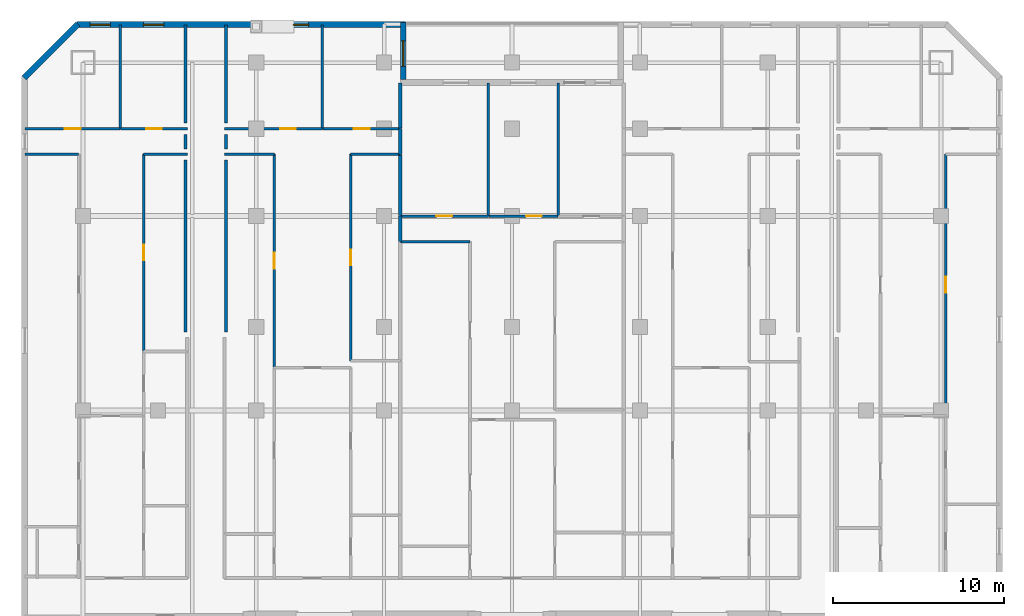
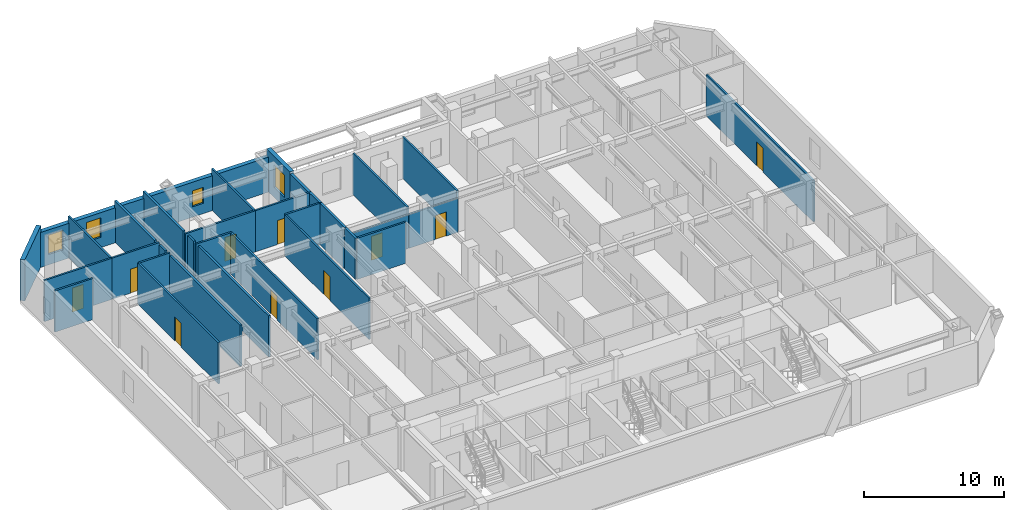
# One storey, part 7 of 10: 32 walls, 10 doors, 4 windows, 14 openings.
"""IFC4 building model written with IfcOpenShell, lengths in metres."""

from ifc_helpers import new_model, si_unit, direction, frame, frame_2d, origin, place, context, subcontext, project, spatial, rectangle, extrude, material, layer, layer_set, type_object, element, fill, save


model = new_model("IFC4")

# Units and contexts
model_context = context("Model", 3, precision=1e-05, world=origin(), true_north=direction((0.0, 1.0)))
body_context = subcontext(model_context, "Body", "Model", "MODEL_VIEW")
ifc_project = project(units=[si_unit("LENGTHUNIT", "METRE"), si_unit("AREAUNIT", "SQUARE_METRE"), si_unit("VOLUMEUNIT", "CUBIC_METRE"), si_unit("PLANEANGLEUNIT", "RADIAN"), si_unit("MASSUNIT", "GRAM", prefix="KILO")], contexts=[model_context])

# Site, building, storey
site_placement = place(None, origin())
site = spatial("IfcSite", under=ifc_project, at=site_placement, CompositionType="ELEMENT")
building_placement = place(site_placement, origin())
building = spatial("IfcBuilding", under=site, at=building_placement, Name="Ventersveld Concourse Tower", CompositionType="ELEMENT")
storey_placement = place(building_placement, frame((0.0, 0.0, 56.75)))
storey = spatial("IfcBuildingStorey", under=building, at=storey_placement, Name="L13", CompositionType="ELEMENT", Elevation=56.75)

# Walls
ifc_material_1 = material(Name="Fire-rated autoclaved aerated masonry blockwork", Category="masonry")
ifc_layer_1 = layer(ifc_material_1, 0.179931640625)
ifc_layer_set_1 = layer_set([ifc_layer_1], Name="Fire-rated autoclaved aerated masonry blockwork")
wall_type_1 = type_object("IfcWallType", Name="WL-CORR-180", PredefinedType="PARTITIONING", material=ifc_layer_set_1)
wall_1_placement = place(storey_placement, frame((9.6201171875, 39.794921875, 0.0), z_axis=(0.0, 0.0, 1.0), x_axis=(0.0, -1.0, 0.0)))
element("IfcWall", 1, at=wall_1_placement, inside=storey, type_object=wall_type_1, Name="L13 Room Enclosure Wall SP-L13-13NW-LIV", PredefinedType="PARTITIONING", context=body_context, shape_type="SweptSolid", body=[
    extrude(rectangle(XDim=0.849853515625, YDim=0.179931640625, at=frame_2d((0.4248046875, 0.0))), origin(), (0.0, 0.0, 1.0), 3.60009765625),
])
wall_2_placement = place(storey_placement, frame((9.6201171875, 38.294921875, 0.0), z_axis=(0.0, 0.0, 1.0), x_axis=(0.0, -1.0, 0.0)))
element("IfcWall", 2, at=wall_2_placement, inside=storey, type_object=wall_type_1, Name="L13 Room Enclosure Wall SP-L13-13NW-DENS", PredefinedType="PARTITIONING", context=body_context, shape_type="SweptSolid", body=[
    extrude(rectangle(XDim=10.0849609375, YDim=0.179931640625, at=frame_2d((5.04248046875, 0.0))), origin(), (0.0, 0.0, 1.0), 3.60009765625),
])
wall_3_placement = place(storey_placement, frame((9.6201171875, 46.18994140625, 0.0), z_axis=(0.0, 0.0, 1.0), x_axis=(0.0, -1.0, 0.0)))
element("IfcWall", 3, at=wall_3_placement, inside=storey, type_object=wall_type_1, Name="L13 Room Enclosure Wall SP-L13-13NW-BR2", PredefinedType="PARTITIONING", context=body_context, shape_type="SweptSolid", body=[
    extrude(rectangle(XDim=5.744873046875, YDim=0.179931640625, at=frame_2d((2.87255859375, 0.0))), origin(), (0.0, 0.0, 1.0), 3.60009765625),
])
wall_4_placement = place(storey_placement, frame((11.97998046875, 38.945068359375, 0.0), z_axis=(0.0, 0.0, 1.0), x_axis=(0.0, 1.0, 0.0)))
element("IfcWall", 4, at=wall_4_placement, inside=storey, type_object=wall_type_1, Name="L13 Room Enclosure Wall SP-L13-13CW-LIV", PredefinedType="PARTITIONING", context=body_context, shape_type="SweptSolid", body=[
    extrude(rectangle(XDim=0.849853515625, YDim=0.179931640625, at=frame_2d((0.4248046875, 0.0))), origin(), (0.0, 0.0, 1.0), 3.60009765625),
])
wall_5_placement = place(storey_placement, frame((11.97998046875, 28.2099609375, 0.0), z_axis=(0.0, 0.0, 1.0), x_axis=(0.0, 1.0, 0.0)))
element("IfcWall", 5, at=wall_5_placement, inside=storey, type_object=wall_type_1, Name="L13 Room Enclosure Wall SP-L13-13CW-DENL", PredefinedType="PARTITIONING", context=body_context, shape_type="SweptSolid", body=[
    extrude(rectangle(XDim=10.0849609375, YDim=0.179931640625, at=frame_2d((5.04248046875, 0.0))), origin(), (0.0, 0.0, 1.0), 3.60009765625),
])
wall_6_placement = place(storey_placement, frame((11.97998046875, 40.445068359375, 0.0), z_axis=(0.0, 0.0, 1.0), x_axis=(0.0, 1.0, 0.0)))
element("IfcWall", 6, at=wall_6_placement, inside=storey, type_object=wall_type_1, Name="L13 Room Enclosure Wall SP-L13-13CW-BR1", PredefinedType="PARTITIONING", context=body_context, shape_type="SweptSolid", body=[
    extrude(rectangle(XDim=5.744873046875, YDim=0.179931640625, at=frame_2d((2.87255859375, 0.0))), origin(), (0.0, 0.0, 1.0), 3.60009765625),
])
ifc_layer_2 = layer(ifc_material_1, 0.199951171875)
ifc_layer_set_2 = layer_set([ifc_layer_2], Name="Fire-rated autoclaved aerated masonry blockwork")
wall_type_2 = type_object("IfcWallType", Name="WL-DEMISE-200", PredefinedType="PARTITIONING", material=ifc_layer_set_2)
wall_7_placement = place(storey_placement, frame((22.2099609375, 38.614990234375, 0.0), z_axis=(0.0, 0.0, 1.0), x_axis=(0.0, 1.0, 0.0)))
element("IfcWall", 7, at=wall_7_placement, inside=storey, type_object=wall_type_2, Name="L13 Interior Partition SP-L13-13CW-LIV-SP-L13-13CM-BR1", PredefinedType="PARTITIONING", context=body_context, shape_type="SweptSolid", body=[
    extrude(rectangle(XDim=1.510009765625, YDim=0.199951171875, at=frame_2d((0.7548828125, 0.0))), origin(), (0.0, 0.0, 1.0), 3.60009765625),
])
wall_8_placement = place(storey_placement, frame((22.2099609375, 33.4951171875, 0.0), z_axis=(0.0, 0.0, 1.0), x_axis=(0.0, 1.0, 0.0)))
element("IfcWall", 8, at=wall_8_placement, inside=storey, type_object=wall_type_2, Name="L13 Interior Partition SP-L13-13CW-DENS-SP-L13-13CM-LIV", PredefinedType="PARTITIONING", context=body_context, shape_type="SweptSolid", body=[
    extrude(rectangle(XDim=1.509765625, YDim=0.199951171875, at=frame_2d((0.7548828125, 0.0))), origin(), (0.0, 0.0, 1.0), 3.60009765625),
])
wall_9_placement = place(storey_placement, frame((22.2099609375, 35.034912109375, 0.0), z_axis=(0.0, 0.0, 1.0), x_axis=(0.0, 1.0, 0.0)))
element("IfcWall", 9, at=wall_9_placement, inside=storey, type_object=wall_type_2, Name="L13 Interior Partition SP-L13-13CW-DENS-SP-L13-13CM-BR1", PredefinedType="PARTITIONING", context=body_context, shape_type="SweptSolid", body=[
    extrude(rectangle(XDim=3.550048828125, YDim=0.199951171875, at=frame_2d((1.77490234375, 0.0))), origin(), (0.0, 0.0, 1.0), 3.60009765625),
])
wall_10_placement = place(storey_placement, frame((22.2099609375, 40.155029296875, 0.0), z_axis=(0.0, 0.0, 1.0), x_axis=(0.0, 1.0, 0.0)))
element("IfcWall", 10, at=wall_10_placement, inside=storey, type_object=wall_type_2, Name="L13 Interior Partition SP-L13-13CW-BR2-SP-L13-13CM-BR1", PredefinedType="PARTITIONING", context=body_context, shape_type="SweptSolid", body=[
    extrude(rectangle(XDim=2.635009765625, YDim=0.199951171875, at=frame_2d((1.3173828125, 0.0))), origin(), (0.0, 0.0, 1.0), 3.60009765625),
])
ifc_material_2 = material(Name="Autoclaved aerated masonry blockwork", Category="masonry")
ifc_layer_3 = layer(ifc_material_2, 0.14990234375)
ifc_layer_set_3 = layer_set([ifc_layer_3], Name="Autoclaved aerated masonry blockwork")
wall_type_3 = type_object("IfcWallType", Name="WL-INT-150", PredefinedType="PARTITIONING", material=ifc_layer_set_3)
wall_11_placement = place(storey_placement, frame((0.2099609375, 38.6201171875, 0.0), z_axis=(0.0, 0.0, 1.0), x_axis=(1.0, 0.0, 0.0)))
element("IfcWall", 11, at=wall_11_placement, inside=storey, type_object=wall_type_3, Name="L13 Interior Partition SP-L13-13NW-LIV-SP-L13-13NW-SEML0", PredefinedType="PARTITIONING", context=body_context, shape_type="SweptSolid", body=[
    extrude(rectangle(XDim=3.135986328125, YDim=0.14990234375, at=frame_2d((1.56787109375, 0.0))), origin(), (0.0, 0.0, 1.0), 3.60009765625),
])

# Wall, opening, door
wall_12_placement = place(storey_placement, frame((7.162841796875, 27.0947265625, 0.0), z_axis=(0.0, 0.0, 1.0), x_axis=(0.0, 1.0, 0.0)))
wall_12 = element("IfcWall", 12, at=wall_12_placement, inside=storey, type_object=wall_type_3, Name="L13 Interior Partition SP-L13-13NW-LIV-SP-L13-13NW-DENS", PredefinedType="PARTITIONING", context=body_context, shape_type="SweptSolid", body=[
    extrude(rectangle(XDim=11.5302734375, YDim=0.14990234375, at=frame_2d((5.76513671875, 0.0))), origin(), (0.0, 0.0, 1.0), 3.60009765625),
])
opening_1_placement = place(wall_12_placement, frame((5.30517578125, 0.0, 0.0)))
opening_1 = element("IfcOpeningElement", 13, at=opening_1_placement, cuts=wall_12, Name="Opening ID1", PredefinedType="OPENING", context=body_context, shape_type="SweptSolid", body=[
    extrude(rectangle(XDim=0.919921875, YDim=2.10009765625, at=frame_2d((0.4599609375, 1.050048828125))), frame((0.0, 0.0849609375, 0.0), z_axis=(0.0, -1.0, 0.0), x_axis=(1.0, 0.0, 0.0)), (0.0, 0.0, 1.0), 0.169921875),
])
ifc_material_3 = material(Name="Solid-core hardwood veneer timber", Category="wood")
door_type = type_object("IfcDoorType", Name="DR-ROOM-092", OperationType="NOTDEFINED", PredefinedType="DOOR", material=ifc_material_3)
door_1_placement = place(opening_1_placement, origin())
door_1 = element("IfcDoor", 14, at=door_1_placement, inside=storey, type_object=door_type, Name="L13 Interior Door SP-L13-13NW-LIV to SP-L13-13NW-DENS (D-L13-0556)", OperationType="SINGLE_SWING_RIGHT", OverallHeight=2.10009765625, OverallWidth=0.919921875, PredefinedType="DOOR", context=body_context, shape_type="SweptSolid", body=[
    extrude(rectangle(XDim=0.919921875, YDim=2.10009765625, at=frame_2d((0.4599609375, 1.050048828125))), frame((0.0, 0.02490234375, 0.0), z_axis=(0.0, -1.0, 0.0), x_axis=(1.0, 0.0, 0.0)), (0.0, 0.0, 1.0), 0.050048828125),
])
fill(opening_1, door_1)

# Wall
wall_13_placement = place(storey_placement, frame((7.157958984375, 38.6201171875, 0.0), z_axis=(0.0, 0.0, 1.0), x_axis=(1.0, 0.0, 0.0)))
element("IfcWall", 15, at=wall_13_placement, inside=storey, type_object=wall_type_3, Name="L13 Interior Partition SP-L13-13NW-LIV-SP-L13-13NW-DENS", PredefinedType="PARTITIONING", context=body_context, shape_type="SweptSolid", body=[
    extrude(rectangle(XDim=2.55712890625, YDim=0.14990234375, at=frame_2d((1.278564453125, 0.0))), origin(), (0.0, 0.0, 1.0), 3.60009765625),
])

# Wall, opening, door
wall_14_placement = place(storey_placement, frame((0.2099609375, 40.1201171875, 0.0), z_axis=(0.0, 0.0, 1.0), x_axis=(1.0, 0.0, 0.0)))
wall_14 = element("IfcWall", 16, at=wall_14_placement, inside=storey, type_object=wall_type_3, Name="L13 Interior Partition SP-L13-13NW-LIV-SP-L13-13NW-BR1", PredefinedType="PARTITIONING", context=body_context, shape_type="SweptSolid", body=[
    extrude(rectangle(XDim=5.566162109375, YDim=0.14990234375, at=frame_2d((2.783203125, 0.0))), origin(), (0.0, 0.0, 1.0), 3.60009765625),
])
opening_2_placement = place(wall_14_placement, frame((2.322998046875, 0.0, 0.0)))
opening_2 = element("IfcOpeningElement", 17, at=opening_2_placement, cuts=wall_14, Name="Opening ID1", PredefinedType="OPENING", context=body_context, shape_type="SweptSolid", body=[
    extrude(rectangle(XDim=0.919921875, YDim=2.10009765625, at=frame_2d((0.4599609375, 1.050048828125))), frame((0.0, 0.0849609375, 0.0), z_axis=(0.0, -1.0, 0.0), x_axis=(1.0, 0.0, 0.0)), (0.0, 0.0, 1.0), 0.169921875),
])
door_2_placement = place(opening_2_placement, origin())
door_2 = element("IfcDoor", 18, at=door_2_placement, inside=storey, type_object=door_type, Name="L13 Interior Door SP-L13-13NW-LIV to SP-L13-13NW-BR1 (D-L13-0557)", OperationType="SINGLE_SWING_LEFT", OverallHeight=2.10009765625, OverallWidth=0.919921875, PredefinedType="DOOR", context=body_context, shape_type="SweptSolid", body=[
    extrude(rectangle(XDim=0.919921875, YDim=2.10009765625, at=frame_2d((0.4599609375, 1.050048828125))), frame((0.0, 0.02490234375, 0.0), z_axis=(0.0, -1.0, 0.0), x_axis=(1.0, 0.0, 0.0)), (0.0, 0.0, 1.0), 0.050048828125),
])
fill(opening_2, door_2)

wall_15_placement = place(storey_placement, frame((5.80615234375, 40.1201171875, 0.0), z_axis=(0.0, 0.0, 1.0), x_axis=(1.0, 0.0, 0.0)))
wall_15 = element("IfcWall", 19, at=wall_15_placement, inside=storey, type_object=wall_type_3, Name="L13 Interior Partition SP-L13-13NW-LIV-SP-L13-13NW-BR2", PredefinedType="PARTITIONING", context=body_context, shape_type="SweptSolid", body=[
    extrude(rectangle(XDim=3.908935546875, YDim=0.14990234375, at=frame_2d((1.95458984375, 0.0))), origin(), (0.0, 0.0, 1.0), 3.60009765625),
])
opening_3_placement = place(wall_15_placement, frame((1.494384765625, 0.0, 0.0)))
opening_3 = element("IfcOpeningElement", 20, at=opening_3_placement, cuts=wall_15, Name="Opening ID1", PredefinedType="OPENING", context=body_context, shape_type="SweptSolid", body=[
    extrude(rectangle(XDim=0.919921875, YDim=2.10009765625, at=frame_2d((0.4599609375, 1.050048828125))), frame((0.0, 0.0849609375, 0.0), z_axis=(0.0, -1.0, 0.0), x_axis=(1.0, 0.0, 0.0)), (0.0, 0.0, 1.0), 0.169921875),
])
door_3_placement = place(opening_3_placement, origin())
door_3 = element("IfcDoor", 21, at=door_3_placement, inside=storey, type_object=door_type, Name="L13 Interior Door SP-L13-13NW-LIV to SP-L13-13NW-BR2 (D-L13-0558)", OperationType="SINGLE_SWING_RIGHT", OverallHeight=2.10009765625, OverallWidth=0.919921875, PredefinedType="DOOR", context=body_context, shape_type="SweptSolid", body=[
    extrude(rectangle(XDim=0.919921875, YDim=2.10009765625, at=frame_2d((0.4599609375, 1.050048828125))), frame((0.0, 0.02490234375, 0.0), z_axis=(0.0, -1.0, 0.0), x_axis=(1.0, 0.0, 0.0)), (0.0, 0.0, 1.0), 0.050048828125),
])
fill(opening_3, door_3)

# Wall
wall_16_placement = place(storey_placement, frame((5.771240234375, 40.114990234375, 0.0), z_axis=(0.0, 0.0, 1.0), x_axis=(0.0, 1.0, 0.0)))
element("IfcWall", 22, at=wall_16_placement, inside=storey, type_object=wall_type_3, Name="L13 Interior Partition SP-L13-13NW-BR1-SP-L13-13NW-BR2", PredefinedType="PARTITIONING", context=body_context, shape_type="SweptSolid", body=[
    extrude(rectangle(XDim=6.074951171875, YDim=0.14990234375, at=frame_2d((3.03759765625, 0.0))), origin(), (0.0, 0.0, 1.0), 3.60009765625),
])

# Wall, opening, door
wall_17_placement = place(storey_placement, frame((54.17724609375, 23.317138671875, 0.0), z_axis=(0.0, 0.0, 1.0), x_axis=(0.0, 1.0, 0.0)))
wall_17 = element("IfcWall", 23, at=wall_17_placement, inside=storey, type_object=wall_type_3, Name="L13 Interior Partition SP-L13-13NE-LIV-SP-L13-13NE-DENR", PredefinedType="PARTITIONING", context=body_context, shape_type="SweptSolid", body=[
    extrude(rectangle(XDim=15.307861328125, YDim=0.14990234375, at=frame_2d((7.65380859375, 0.0))), origin(), (0.0, 0.0, 1.0), 3.60009765625),
])
opening_4_placement = place(wall_17_placement, frame((7.19384765625, 0.0, 0.0)))
opening_4 = element("IfcOpeningElement", 24, at=opening_4_placement, cuts=wall_17, Name="Opening ID1", PredefinedType="OPENING", context=body_context, shape_type="SweptSolid", body=[
    extrude(rectangle(XDim=0.919921875, YDim=2.10009765625, at=frame_2d((0.4599609375, 1.050048828125))), frame((0.0, 0.0849609375, 0.0), z_axis=(0.0, -1.0, 0.0), x_axis=(1.0, 0.0, 0.0)), (0.0, 0.0, 1.0), 0.169921875),
])
door_4_placement = place(opening_4_placement, origin())
door_4 = element("IfcDoor", 25, at=door_4_placement, inside=storey, type_object=door_type, Name="L13 Interior Door SP-L13-13NE-LIV to SP-L13-13NE-DENR (D-L13-0565)", OperationType="SINGLE_SWING_LEFT", OverallHeight=2.10009765625, OverallWidth=0.919921875, PredefinedType="DOOR", context=body_context, shape_type="SweptSolid", body=[
    extrude(rectangle(XDim=0.919921875, YDim=2.10009765625, at=frame_2d((0.4599609375, 1.050048828125))), frame((0.0, 0.02490234375, 0.0), z_axis=(0.0, -1.0, 0.0), x_axis=(1.0, 0.0, 0.0)), (0.0, 0.0, 1.0), 0.050048828125),
])
fill(opening_4, door_4)

wall_18_placement = place(storey_placement, frame((14.807861328125, 26.146728515625, 0.0), z_axis=(0.0, 0.0, 1.0), x_axis=(0.0, 1.0, 0.0)))
wall_18 = element("IfcWall", 26, at=wall_18_placement, inside=storey, type_object=wall_type_3, Name="L13 Interior Partition SP-L13-13CW-LIV-SP-L13-13CW-DENL", PredefinedType="PARTITIONING", context=body_context, shape_type="SweptSolid", body=[
    extrude(rectangle(XDim=12.478271484375, YDim=0.14990234375, at=frame_2d((6.2392578125, 0.0))), origin(), (0.0, 0.0, 1.0), 3.60009765625),
])
opening_5_placement = place(wall_18_placement, frame((5.779052734375, 0.0, 0.0)))
opening_5 = element("IfcOpeningElement", 27, at=opening_5_placement, cuts=wall_18, Name="Opening ID1", PredefinedType="OPENING", context=body_context, shape_type="SweptSolid", body=[
    extrude(rectangle(XDim=0.919921875, YDim=2.10009765625, at=frame_2d((0.4599609375, 1.050048828125))), frame((0.0, 0.0849609375, 0.0), z_axis=(0.0, -1.0, 0.0), x_axis=(1.0, 0.0, 0.0)), (0.0, 0.0, 1.0), 0.169921875),
])
door_5_placement = place(opening_5_placement, origin())
door_5 = element("IfcDoor", 28, at=door_5_placement, inside=storey, type_object=door_type, Name="L13 Interior Door SP-L13-13CW-LIV to SP-L13-13CW-DENL (D-L13-0573)", OperationType="SINGLE_SWING_LEFT", OverallHeight=2.10009765625, OverallWidth=0.919921875, PredefinedType="DOOR", context=body_context, shape_type="SweptSolid", body=[
    extrude(rectangle(XDim=0.919921875, YDim=2.10009765625, at=frame_2d((0.4599609375, 1.050048828125))), frame((0.0, 0.02490234375, 0.0), z_axis=(0.0, -1.0, 0.0), x_axis=(1.0, 0.0, 0.0)), (0.0, 0.0, 1.0), 0.050048828125),
])
fill(opening_5, door_5)

# Wall
wall_19_placement = place(storey_placement, frame((11.885009765625, 38.6201171875, 0.0), z_axis=(0.0, 0.0, 1.0), x_axis=(1.0, 0.0, 0.0)))
element("IfcWall", 29, at=wall_19_placement, inside=storey, type_object=wall_type_3, Name="L13 Interior Partition SP-L13-13CW-LIV-SP-L13-13CW-DENL", PredefinedType="PARTITIONING", context=body_context, shape_type="SweptSolid", body=[
    extrude(rectangle(XDim=2.927734375, YDim=0.14990234375, at=frame_2d((1.4638671875, 0.0))), origin(), (0.0, 0.0, 1.0), 3.60009765625),
])

# Wall, opening, door
wall_20_placement = place(storey_placement, frame((19.292236328125, 26.505615234375, 0.0), z_axis=(0.0, 0.0, 1.0), x_axis=(0.0, 1.0, 0.0)))
wall_20 = element("IfcWall", 30, at=wall_20_placement, inside=storey, type_object=wall_type_3, Name="L13 Interior Partition SP-L13-13CW-LIV-SP-L13-13CW-DENS", PredefinedType="PARTITIONING", context=body_context, shape_type="SweptSolid", body=[
    extrude(rectangle(XDim=12.119384765625, YDim=0.14990234375, at=frame_2d((6.0595703125, 0.0))), origin(), (0.0, 0.0, 1.0), 3.60009765625),
])
opening_6_placement = place(wall_20_placement, frame((5.599609375, 0.0, 0.0)))
opening_6 = element("IfcOpeningElement", 31, at=opening_6_placement, cuts=wall_20, Name="Opening ID1", PredefinedType="OPENING", context=body_context, shape_type="SweptSolid", body=[
    extrude(rectangle(XDim=0.919921875, YDim=2.10009765625, at=frame_2d((0.4599609375, 1.050048828125))), frame((0.0, 0.0849609375, 0.0), z_axis=(0.0, -1.0, 0.0), x_axis=(1.0, 0.0, 0.0)), (0.0, 0.0, 1.0), 0.169921875),
])
door_6_placement = place(opening_6_placement, origin())
door_6 = element("IfcDoor", 32, at=door_6_placement, inside=storey, type_object=door_type, Name="L13 Interior Door SP-L13-13CW-LIV to SP-L13-13CW-DENS (D-L13-0574)", OperationType="SINGLE_SWING_RIGHT", OverallHeight=2.10009765625, OverallWidth=0.919921875, PredefinedType="DOOR", context=body_context, shape_type="SweptSolid", body=[
    extrude(rectangle(XDim=0.919921875, YDim=2.10009765625, at=frame_2d((0.4599609375, 1.050048828125))), frame((0.0, 0.02490234375, 0.0), z_axis=(0.0, -1.0, 0.0), x_axis=(1.0, 0.0, 0.0)), (0.0, 0.0, 1.0), 0.050048828125),
])
fill(opening_6, door_6)

# Wall
wall_21_placement = place(storey_placement, frame((19.287109375, 38.6201171875, 0.0), z_axis=(0.0, 0.0, 1.0), x_axis=(1.0, 0.0, 0.0)))
element("IfcWall", 33, at=wall_21_placement, inside=storey, type_object=wall_type_3, Name="L13 Interior Partition SP-L13-13CW-LIV-SP-L13-13CW-DENS", PredefinedType="PARTITIONING", context=body_context, shape_type="SweptSolid", body=[
    extrude(rectangle(XDim=2.927978515625, YDim=0.14990234375, at=frame_2d((1.4638671875, 0.0))), origin(), (0.0, 0.0, 1.0), 3.60009765625),
])

# Wall, opening, door
wall_22_placement = place(storey_placement, frame((11.885009765625, 40.1201171875, 0.0), z_axis=(0.0, 0.0, 1.0), x_axis=(1.0, 0.0, 0.0)))
wall_22 = element("IfcWall", 34, at=wall_22_placement, inside=storey, type_object=wall_type_3, Name="L13 Interior Partition SP-L13-13CW-LIV-SP-L13-13CW-BR1", PredefinedType="PARTITIONING", context=body_context, shape_type="SweptSolid", body=[
    extrude(rectangle(XDim=5.755859375, YDim=0.14990234375, at=frame_2d((2.8779296875, 0.0))), origin(), (0.0, 0.0, 1.0), 3.60009765625),
])
opening_7_placement = place(wall_22_placement, frame((3.28125, 0.0, 0.0)))
opening_7 = element("IfcOpeningElement", 35, at=opening_7_placement, cuts=wall_22, Name="Opening ID1", PredefinedType="OPENING", context=body_context, shape_type="SweptSolid", body=[
    extrude(rectangle(XDim=0.919921875, YDim=2.10009765625, at=frame_2d((0.4599609375, 1.050048828125))), frame((0.0, 0.0849609375, 0.0), z_axis=(0.0, -1.0, 0.0), x_axis=(1.0, 0.0, 0.0)), (0.0, 0.0, 1.0), 0.169921875),
])
door_7_placement = place(opening_7_placement, origin())
door_7 = element("IfcDoor", 36, at=door_7_placement, inside=storey, type_object=door_type, Name="L13 Interior Door SP-L13-13CW-LIV to SP-L13-13CW-BR1 (D-L13-0575)", OperationType="SINGLE_SWING_LEFT", OverallHeight=2.10009765625, OverallWidth=0.919921875, PredefinedType="DOOR", context=body_context, shape_type="SweptSolid", body=[
    extrude(rectangle(XDim=0.919921875, YDim=2.10009765625, at=frame_2d((0.4599609375, 1.050048828125))), frame((0.0, 0.02490234375, 0.0), z_axis=(0.0, -1.0, 0.0), x_axis=(1.0, 0.0, 0.0)), (0.0, 0.0, 1.0), 0.050048828125),
])
fill(opening_7, door_7)

wall_23_placement = place(storey_placement, frame((17.6708984375, 40.1201171875, 0.0), z_axis=(0.0, 0.0, 1.0), x_axis=(1.0, 0.0, 0.0)))
wall_23 = element("IfcWall", 37, at=wall_23_placement, inside=storey, type_object=wall_type_3, Name="L13 Interior Partition SP-L13-13CW-LIV-SP-L13-13CW-BR2", PredefinedType="PARTITIONING", context=body_context, shape_type="SweptSolid", body=[
    extrude(rectangle(XDim=4.544189453125, YDim=0.14990234375, at=frame_2d((2.27197265625, 0.0))), origin(), (0.0, 0.0, 1.0), 3.60009765625),
])
opening_8_placement = place(wall_23_placement, frame((1.81201171875, 0.0, 0.0)))
opening_8 = element("IfcOpeningElement", 38, at=opening_8_placement, cuts=wall_23, Name="Opening ID1", PredefinedType="OPENING", context=body_context, shape_type="SweptSolid", body=[
    extrude(rectangle(XDim=0.919921875, YDim=2.10009765625, at=frame_2d((0.4599609375, 1.050048828125))), frame((0.0, 0.0849609375, 0.0), z_axis=(0.0, -1.0, 0.0), x_axis=(1.0, 0.0, 0.0)), (0.0, 0.0, 1.0), 0.169921875),
])
door_8_placement = place(opening_8_placement, origin())
door_8 = element("IfcDoor", 39, at=door_8_placement, inside=storey, type_object=door_type, Name="L13 Interior Door SP-L13-13CW-LIV to SP-L13-13CW-BR2 (D-L13-0576)", OperationType="SINGLE_SWING_RIGHT", OverallHeight=2.10009765625, OverallWidth=0.919921875, PredefinedType="DOOR", context=body_context, shape_type="SweptSolid", body=[
    extrude(rectangle(XDim=0.919921875, YDim=2.10009765625, at=frame_2d((0.4599609375, 1.050048828125))), frame((0.0, 0.02490234375, 0.0), z_axis=(0.0, -1.0, 0.0), x_axis=(1.0, 0.0, 0.0)), (0.0, 0.0, 1.0), 0.050048828125),
])
fill(opening_8, door_8)

# Walls
wall_24_placement = place(storey_placement, frame((17.635986328125, 40.114990234375, 0.0), z_axis=(0.0, 0.0, 1.0), x_axis=(0.0, 1.0, 0.0)))
element("IfcWall", 40, at=wall_24_placement, inside=storey, type_object=wall_type_3, Name="L13 Interior Partition SP-L13-13CW-BR1-SP-L13-13CW-BR2", PredefinedType="PARTITIONING", context=body_context, shape_type="SweptSolid", body=[
    extrude(rectangle(XDim=6.074951171875, YDim=0.14990234375, at=frame_2d((3.03759765625, 0.0))), origin(), (0.0, 0.0, 1.0), 3.60009765625),
])
wall_25_placement = place(storey_placement, frame((22.205078125, 33.5, 0.0), z_axis=(0.0, 0.0, 1.0), x_axis=(1.0, 0.0, 0.0)))
element("IfcWall", 41, at=wall_25_placement, inside=storey, type_object=wall_type_3, Name="L13 Interior Partition SP-L13-13CM-LIV-SP-L13-13CM-DENL", PredefinedType="PARTITIONING", context=body_context, shape_type="SweptSolid", body=[
    extrude(rectangle(XDim=4.086669921875, YDim=0.14990234375, at=frame_2d((2.04345703125, 0.0))), origin(), (0.0, 0.0, 1.0), 3.60009765625),
])

# Wall, opening, door
wall_26_placement = place(storey_placement, frame((22.205078125, 35.0, 0.0), z_axis=(0.0, 0.0, 1.0), x_axis=(1.0, 0.0, 0.0)))
wall_26 = element("IfcWall", 42, at=wall_26_placement, inside=storey, type_object=wall_type_3, Name="L13 Interior Partition SP-L13-13CM-LIV-SP-L13-13CM-BR1", PredefinedType="PARTITIONING", context=body_context, shape_type="SweptSolid", body=[
    extrude(rectangle(XDim=5.15380859375, YDim=0.14990234375, at=frame_2d((2.576904296875, 0.0))), origin(), (0.0, 0.0, 1.0), 2.964111328125),
])
opening_9_placement = place(wall_26_placement, frame((2.116943359375, 0.0, 0.0)))
opening_9 = element("IfcOpeningElement", 43, at=opening_9_placement, cuts=wall_26, Name="Opening ID1", PredefinedType="OPENING", context=body_context, shape_type="SweptSolid", body=[
    extrude(rectangle(XDim=0.919921875, YDim=2.10009765625, at=frame_2d((0.4599609375, 1.050048828125))), frame((0.0, 0.0849609375, 0.0), z_axis=(0.0, -1.0, 0.0), x_axis=(1.0, 0.0, 0.0)), (0.0, 0.0, 1.0), 0.169921875),
])
door_9_placement = place(opening_9_placement, origin())
door_9 = element("IfcDoor", 44, at=door_9_placement, inside=storey, type_object=door_type, Name="L13 Interior Door SP-L13-13CM-LIV to SP-L13-13CM-BR1 (D-L13-0593)", OperationType="SINGLE_SWING_LEFT", OverallHeight=2.10009765625, OverallWidth=0.919921875, PredefinedType="DOOR", context=body_context, shape_type="SweptSolid", body=[
    extrude(rectangle(XDim=0.919921875, YDim=2.10009765625, at=frame_2d((0.4599609375, 1.050048828125))), frame((0.0, 0.02490234375, 0.0), z_axis=(0.0, -1.0, 0.0), x_axis=(1.0, 0.0, 0.0)), (0.0, 0.0, 1.0), 0.050048828125),
])
fill(opening_9, door_9)

wall_27_placement = place(storey_placement, frame((27.388916015625, 35.0, 0.0), z_axis=(0.0, 0.0, 1.0), x_axis=(1.0, 0.0, 0.0)))
wall_27 = element("IfcWall", 45, at=wall_27_placement, inside=storey, type_object=wall_type_3, Name="L13 Interior Partition SP-L13-13CM-LIV-SP-L13-13CM-BR2", PredefinedType="PARTITIONING", context=body_context, shape_type="SweptSolid", body=[
    extrude(rectangle(XDim=4.068603515625, YDim=0.14990234375, at=frame_2d((2.0341796875, 0.0))), origin(), (0.0, 0.0, 1.0), 2.964111328125),
])
opening_10_placement = place(wall_27_placement, frame((2.184814453125, 0.0, 0.0)))
opening_10 = element("IfcOpeningElement", 46, at=opening_10_placement, cuts=wall_27, Name="Opening ID1", PredefinedType="OPENING", context=body_context, shape_type="SweptSolid", body=[
    extrude(rectangle(XDim=0.919921875, YDim=2.10009765625, at=frame_2d((0.4599609375, 1.050048828125))), frame((0.0, 0.0849609375, 0.0), z_axis=(0.0, -1.0, 0.0), x_axis=(1.0, 0.0, 0.0)), (0.0, 0.0, 1.0), 0.169921875),
])
door_10_placement = place(opening_10_placement, origin())
door_10 = element("IfcDoor", 47, at=door_10_placement, inside=storey, type_object=door_type, Name="L13 Interior Door SP-L13-13CM-LIV to SP-L13-13CM-BR2 (D-L13-0594)", OperationType="SINGLE_SWING_RIGHT", OverallHeight=2.10009765625, OverallWidth=0.919921875, PredefinedType="DOOR", context=body_context, shape_type="SweptSolid", body=[
    extrude(rectangle(XDim=0.919921875, YDim=2.10009765625, at=frame_2d((0.4599609375, 1.050048828125))), frame((0.0, 0.02490234375, 0.0), z_axis=(0.0, -1.0, 0.0), x_axis=(1.0, 0.0, 0.0)), (0.0, 0.0, 1.0), 0.050048828125),
])
fill(opening_10, door_10)

# Walls
for number, where, z_axis, x_axis, name in (
    (48, (27.353759765625, 34.9951171875, 0.0), (0.0, 0.0, 1.0), (0.0, 1.0, 0.0), "L13 Interior Partition SP-L13-13CM-BR1-SP-L13-13CM-BR2"),
    (49, (31.452392578125, 34.9951171875, 0.0), (0.0, 0.0, 1.0), (0.0, 1.0, 0.0), "L13 Interior Partition SP-L13-13CM-BR2-SP-L13-13CM-BR3"),
):
    element("IfcWall", number, at=place(storey_placement, frame(where, z_axis=z_axis, x_axis=x_axis)), inside=storey, type_object=wall_type_3, Name=name, PredefinedType="PARTITIONING", context=body_context, shape_type="SweptSolid", body=[
        extrude(rectangle(XDim=7.794921875, YDim=0.14990234375, at=frame_2d((3.8974609375, 0.0))), origin(), (0.0, 0.0, 1.0), 3.60009765625),
    ])

# Wall, opening, window
ifc_material_4 = material(Name="Precast concrete C45/55", Category="concrete")
ifc_layer_4 = layer(ifc_material_4, 0.35009765625)
ifc_layer_set_4 = layer_set([ifc_layer_4], Name="Precast concrete C45/55")
wall_type_4 = type_object("IfcWallType", Name="WL-PREC-350", PredefinedType="SOLIDWALL", material=ifc_layer_set_4)
wall_28_placement = place(storey_placement, frame((22.375, 43.0, 0.0), z_axis=(0.0, 0.0, 1.0), x_axis=(0.0, 1.0, 0.0)))
wall_28 = element("IfcWall", 50, at=wall_28_placement, inside=storey, type_object=wall_type_4, Name="L13 Highveld Precast Facade Wall E08", PredefinedType="SOLIDWALL", context=body_context, shape_type="SweptSolid", body=[
    extrude(rectangle(XDim=3.360107421875, YDim=0.35009765625, at=frame_2d((1.68017578125, 0.0))), origin(), (0.0, 0.0, 1.0), 3.60009765625),
])
opening_11_placement = place(wall_28_placement, frame((0.77001953125, 0.0, 0.89990234375)))
opening_11 = element("IfcOpeningElement", 51, at=opening_11_placement, cuts=wall_28, Name="Opening W1", PredefinedType="OPENING", context=body_context, shape_type="SweptSolid", body=[
    extrude(rectangle(XDim=1.5, YDim=1.949951171875, at=frame_2d((0.75, 0.97509765625))), frame((0.0, 0.18505859375, 0.0), z_axis=(0.0, -1.0, 0.0), x_axis=(1.0, 0.0, 0.0)), (0.0, 0.0, 1.0), 0.3701171875),
])
ifc_material_5 = material(Name="Tempered acoustic Low-E IGU", Category="glass")
window_type_1 = type_object("IfcWindowType", Name="WIN-150x210", PartitioningType="SINGLE_PANEL", PredefinedType="WINDOW", material=ifc_material_5)
window_1_placement = place(opening_11_placement, origin())
window_1 = element("IfcWindow", 52, at=window_1_placement, inside=storey, type_object=window_type_1, Name="L13 Punched Low-E Window W-0103", OverallHeight=1.949951171875, OverallWidth=1.5, PartitioningType="SINGLE_PANEL", PredefinedType="WINDOW", context=body_context, shape_type="SweptSolid", body=[
    extrude(rectangle(XDim=1.5, YDim=1.949951171875, at=frame_2d((0.75, 0.97509765625))), frame((0.0, 0.030029296875, 0.0), z_axis=(0.0, -1.0, 0.0), x_axis=(1.0, 0.0, 0.0)), (0.0, 0.0, 1.0), 0.06005859375),
])
fill(opening_11, window_1)

# Wall, openings, windows
wall_29_placement = place(storey_placement, frame((22.510009765625, 46.22509765625, 0.0), z_axis=(0.0, 0.0, 1.0), x_axis=(-1.0, 0.0, 0.0)))
wall_29 = element("IfcWall", 53, at=wall_29_placement, inside=storey, type_object=wall_type_4, Name="L13 Highveld Precast Facade Wall E09", PredefinedType="SOLIDWALL", context=body_context, shape_type="SweptSolid", body=[
    extrude(rectangle(XDim=19.27001953125, YDim=0.35009765625, at=frame_2d((9.635009765625, 0.0))), origin(), (0.0, 0.0, 1.0), 3.055419921875),
])
opening_12_placement = place(wall_29_placement, frame((17.300048828125, 0.0, 0.89990234375)))
opening_12 = element("IfcOpeningElement", 54, at=opening_12_placement, cuts=wall_29, Name="Opening W3", PredefinedType="OPENING", context=body_context, shape_type="SweptSolid", body=[
    extrude(rectangle(XDim=1.199951171875, YDim=1.699951171875, at=frame_2d((0.60009765625, 0.85009765625))), frame((0.0, 0.18505859375, 0.0), z_axis=(0.0, -1.0, 0.0), x_axis=(1.0, 0.0, 0.0)), (0.0, 0.0, 1.0), 0.3701171875),
])
opening_13_placement = place(wall_29_placement, frame((14.16943359375, 0.0, 0.89990234375)))
opening_13 = element("IfcOpeningElement", 55, at=opening_13_placement, cuts=wall_29, Name="Opening W3", PredefinedType="OPENING", context=body_context, shape_type="SweptSolid", body=[
    extrude(rectangle(XDim=1.199951171875, YDim=1.699951171875, at=frame_2d((0.60009765625, 0.85009765625))), frame((0.0, 0.18505859375, 0.0), z_axis=(0.0, -1.0, 0.0), x_axis=(1.0, 0.0, 0.0)), (0.0, 0.0, 1.0), 0.3701171875),
])
opening_14_placement = place(wall_29_placement, frame((5.688232421875, 0.0, 0.89990234375)))
opening_14 = element("IfcOpeningElement", 56, at=opening_14_placement, cuts=wall_29, Name="Opening W8", PredefinedType="OPENING", context=body_context, shape_type="SweptSolid", body=[
    extrude(rectangle(XDim=0.89990234375, YDim=1.39990234375, at=frame_2d((0.449951171875, 0.699951171875))), frame((0.0, 0.18505859375, 0.0), z_axis=(0.0, -1.0, 0.0), x_axis=(1.0, 0.0, 0.0)), (0.0, 0.0, 1.0), 0.3701171875),
])
window_type_2 = type_object("IfcWindowType", Name="WIN-090x140", PartitioningType="SINGLE_PANEL", PredefinedType="WINDOW", material=ifc_material_5)
window_2_placement = place(opening_14_placement, origin())
window_2 = element("IfcWindow", 57, at=window_2_placement, inside=storey, type_object=window_type_2, Name="L13 Punched Low-E Window W-0102", OverallHeight=1.39990234375, OverallWidth=0.89990234375, PartitioningType="SINGLE_PANEL", PredefinedType="WINDOW", context=body_context, shape_type="SweptSolid", body=[
    extrude(rectangle(XDim=0.89990234375, YDim=1.39990234375, at=frame_2d((0.449951171875, 0.699951171875))), frame((0.0, 0.030029296875, 0.0), z_axis=(0.0, -1.0, 0.0), x_axis=(1.0, 0.0, 0.0)), (0.0, 0.0, 1.0), 0.06005859375),
])
fill(opening_14, window_2)
window_type_3 = type_object("IfcWindowType", Name="WIN-120x180", PartitioningType="SINGLE_PANEL", PredefinedType="WINDOW", material=ifc_material_5)
window_3_placement = place(opening_12_placement, origin())
window_3 = element("IfcWindow", 58, at=window_3_placement, inside=storey, type_object=window_type_3, Name="L13 Punched Low-E Window W-0095", OverallHeight=1.699951171875, OverallWidth=1.199951171875, PartitioningType="SINGLE_PANEL", PredefinedType="WINDOW", context=body_context, shape_type="SweptSolid", body=[
    extrude(rectangle(XDim=1.199951171875, YDim=1.699951171875, at=frame_2d((0.60009765625, 0.85009765625))), frame((0.0, 0.030029296875, 0.0), z_axis=(0.0, -1.0, 0.0), x_axis=(1.0, 0.0, 0.0)), (0.0, 0.0, 1.0), 0.06005859375),
])
fill(opening_12, window_3)
window_4_placement = place(opening_13_placement, origin())
window_4 = element("IfcWindow", 59, at=window_4_placement, inside=storey, type_object=window_type_3, Name="L13 Punched Low-E Window W-0096", OverallHeight=1.699951171875, OverallWidth=1.199951171875, PartitioningType="SINGLE_PANEL", PredefinedType="WINDOW", context=body_context, shape_type="SweptSolid", body=[
    extrude(rectangle(XDim=1.199951171875, YDim=1.699951171875, at=frame_2d((0.60009765625, 0.85009765625))), frame((0.0, 0.030029296875, 0.0), z_axis=(0.0, -1.0, 0.0), x_axis=(1.0, 0.0, 0.0)), (0.0, 0.0, 1.0), 0.06005859375),
])
fill(opening_13, window_4)

# Wall
wall_30_placement = place(storey_placement, frame((3.29541015625, 46.248046875, 0.0), z_axis=(0.0, 0.0, 1.0), x_axis=(-0.707079321262, -0.707134240044, 0.0)))
element("IfcWall", 60, at=wall_30_placement, inside=storey, type_object=wall_type_4, Name="L13 Highveld Precast Facade Wall E10", PredefinedType="SOLIDWALL", context=body_context, shape_type="SweptSolid", body=[
    extrude(rectangle(XDim=4.445556640625, YDim=0.35009765625, at=frame_2d((2.22265625, 0.0))), origin(), (0.0, 0.0, 1.0), 3.60009765625),
])

save(model, "model.ifc")
